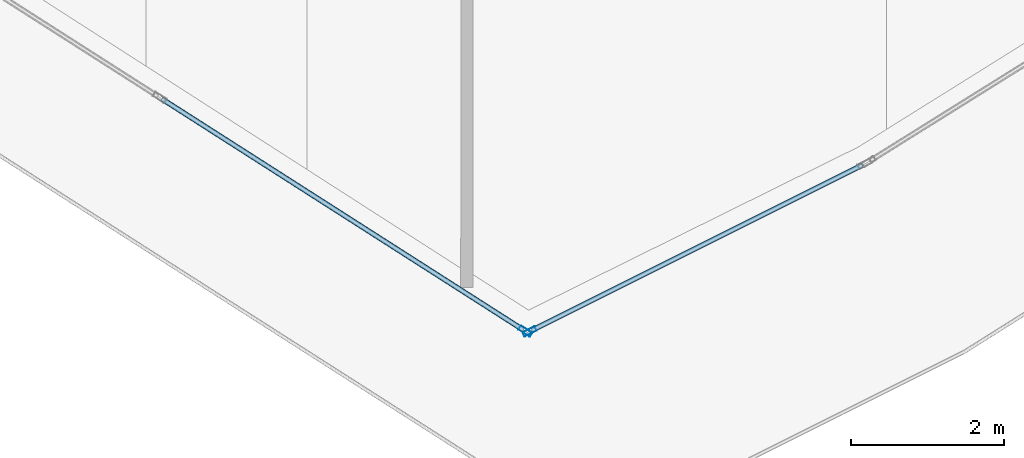
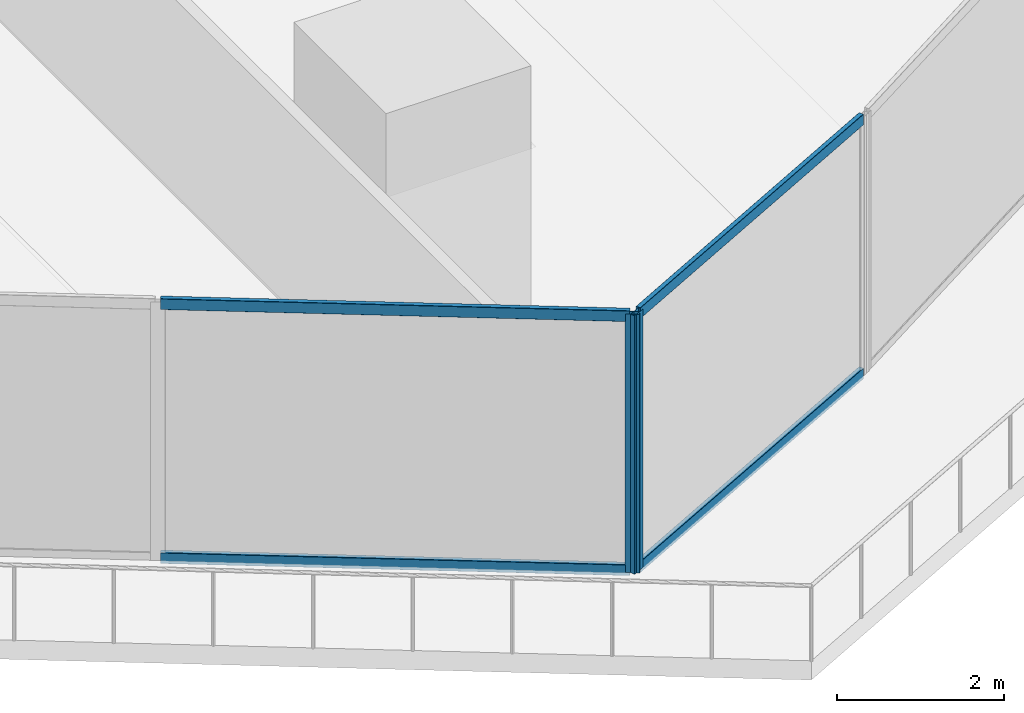
# One storey, part 7 of 44: 6 members, 2 elements without a shape of their own.
"""IFC4 building model written with IfcOpenShell, lengths in metres."""

from ifc_helpers import new_model, si_unit, direction, frame, origin, origin_2d, place, context, subcontext, project, spatial, hollow_rectangle, extrude, material, layer, layer_set, material_profile, profile_set, type_object, element, aggregate, save


model = new_model("IFC4")

# Units and contexts
model_context = context("Model", 3, precision=1e-05, world=origin(), true_north=direction((0.0, 1.0)))
body_context = subcontext(model_context, "Body", "Model", "MODEL_VIEW")
ifc_project = project(units=[si_unit("LENGTHUNIT", "METRE"), si_unit("AREAUNIT", "SQUARE_METRE"), si_unit("VOLUMEUNIT", "CUBIC_METRE"), si_unit("PLANEANGLEUNIT", "RADIAN"), si_unit("MASSUNIT", "GRAM", prefix="KILO")], contexts=[model_context])

# Site, building, storey
site_placement = place(None, origin())
site = spatial("IfcSite", under=ifc_project, at=site_placement, CompositionType="ELEMENT")
building_placement = place(site_placement, origin())
building = spatial("IfcBuilding", under=site, at=building_placement, Name="Qorvath Tower", CompositionType="ELEMENT")
storey_placement = place(building_placement, frame((0.0, 0.0, 113.85009765625)))
storey = spatial("IfcBuildingStorey", under=building, at=storey_placement, Name="L25", CompositionType="ELEMENT", Elevation=113.85009765625)

# Curtain wall, member
ifc_material_1 = material(Name="Anodised aluminium and triple low-E glass", Category="aluminium")
ifc_layer = layer(ifc_material_1, 0.179931640625)
ifc_layer_set = layer_set([ifc_layer], Name="CW-SYS-2")
curtain_wall_type = type_object("IfcCurtainWallType", Name="CW-SYS-2", PredefinedType="NOTDEFINED", material=ifc_layer_set)
curtain_wall_1_placement = place(storey_placement, origin())
curtain_wall_1 = element("IfcCurtainWall", 1, at=curtain_wall_1_placement, inside=storey, type_object=curtain_wall_type, Name="Curtain Wall CW-2 CW-T-L25-2.2", PredefinedType="NOTDEFINED")
ifc_material_2 = material(Name="Anodised aluminium 6063-T6", Category="aluminium")
ifc_material_profile_1 = material_profile(ifc_material_2, hollow_rectangle(XDim=0.06494140625, YDim=0.179931640625, WallThickness=0.00341796875, InnerFilletRadius=0.00341796875, OuterFilletRadius=0.007080078125, at=origin_2d()), Name="CWM 180x65")
ifc_profile_set_1 = profile_set([ifc_material_profile_1], Name="Anodised aluminium 6063-T6")
member_type_1 = type_object("IfcMemberType", Name="CWM-180", PredefinedType="MULLION", material=ifc_profile_set_1)
member_1_placement = place(storey_placement, frame((-15.667236328125, -31.062744140625, 0.0), z_axis=(0.0, 0.0, 1.0), x_axis=(0.538538275895, 0.842601047588, 0.0)))
member_1 = element("IfcMember", 2, at=member_1_placement, type_object=member_type_1, Name="CW-2 mullion 5", PredefinedType="MULLION", context=body_context, shape_type="SweptSolid", body=[
    extrude(hollow_rectangle(XDim=0.06494140625, YDim=0.179931640625, WallThickness=0.00341796875, InnerFilletRadius=0.00341796875, OuterFilletRadius=0.007080078125, at=origin_2d()), origin(), (0.0, 0.0, 1.0), 3.77001953125),
])

curtain_wall_2_placement = place(storey_placement, origin())
curtain_wall_2 = element("IfcCurtainWall", 3, at=curtain_wall_2_placement, inside=storey, type_object=curtain_wall_type, Name="Curtain Wall CW-2 CW-T-L25-3.1", PredefinedType="NOTDEFINED")
member_2_placement = place(storey_placement, frame((-15.61083984375, -31.065673828125, 0.0), z_axis=(0.0, 0.0, 1.0), x_axis=(-0.447181364469, 0.89444330579, 0.0)))
member_2 = element("IfcMember", 4, at=member_2_placement, type_object=member_type_1, Name="CW-2 mullion 1", PredefinedType="MULLION", context=body_context, shape_type="SweptSolid", body=[
    extrude(hollow_rectangle(XDim=0.06494140625, YDim=0.179931640625, WallThickness=0.00341796875, InnerFilletRadius=0.00341796875, OuterFilletRadius=0.007080078125, at=origin_2d()), origin(), (0.0, 0.0, 1.0), 3.77001953125),
])

# Member
ifc_material_3 = material(Name="Anodised aluminium 6063-T6", Category="aluminium")
ifc_material_profile_2 = material_profile(ifc_material_3, hollow_rectangle(XDim=0.06494140625, YDim=0.159912109375, WallThickness=0.00341796875, InnerFilletRadius=0.00341796875, OuterFilletRadius=0.007080078125, at=origin_2d()), Name="CWT 160x65")
ifc_profile_set_2 = profile_set([ifc_material_profile_2], Name="Anodised aluminium 6063-T6")
member_type_2 = type_object("IfcMemberType", Name="CWT-160", PredefinedType="USERDEFINED", material=ifc_profile_set_2)
member_3_placement = place(storey_placement, frame((-20.4228515625, -28.023193359375, 0.032470703125), z_axis=(0.842584937401, -0.538563481184, 0.0), x_axis=(0.538563481184, 0.842584937401, 0.0)))
member_3 = element("IfcMember", 5, at=member_3_placement, type_object=member_type_2, Name="CW-2 transom 4.1", ObjectType="TRANSOM", PredefinedType="USERDEFINED", context=body_context, shape_type="SweptSolid", body=[
    extrude(hollow_rectangle(XDim=0.06494140625, YDim=0.159912109375, WallThickness=0.00341796875, InnerFilletRadius=0.00341796875, OuterFilletRadius=0.007080078125, at=origin_2d()), origin(), (0.0, 0.0, 1.0), 5.611572265625),
])

member_4_placement = place(storey_placement, frame((-20.4228515625, -28.023193359375, 3.737548828125), z_axis=(0.842584937401, -0.538563481184, 0.0), x_axis=(0.538563481184, 0.842584937401, 0.0)))
member_4 = element("IfcMember", 6, at=member_4_placement, type_object=member_type_2, Name="CW-2 transom 4.2", ObjectType="TRANSOM", PredefinedType="USERDEFINED", context=body_context, shape_type="SweptSolid", body=[
    extrude(hollow_rectangle(XDim=0.06494140625, YDim=0.159912109375, WallThickness=0.00341796875, InnerFilletRadius=0.00341796875, OuterFilletRadius=0.007080078125, at=origin_2d()), origin(), (0.0, 0.0, 1.0), 5.611572265625),
])

aggregate(curtain_wall_1, [member_1, member_3, member_4])

member_5_placement = place(storey_placement, frame((-15.581787109375, -31.05126953125, 0.032470703125), z_axis=(0.894437291131, 0.447193394668, 0.0), x_axis=(-0.447193394668, 0.894437291131, 0.0)))
member_5 = element("IfcMember", 7, at=member_5_placement, type_object=member_type_2, Name="CW-2 transom 1.1", ObjectType="TRANSOM", PredefinedType="USERDEFINED", context=body_context, shape_type="SweptSolid", body=[
    extrude(hollow_rectangle(XDim=0.06494140625, YDim=0.159912109375, WallThickness=0.00341796875, InnerFilletRadius=0.00341796875, OuterFilletRadius=0.007080078125, at=origin_2d()), origin(), (0.0, 0.0, 1.0), 4.834228515625),
])

member_6_placement = place(storey_placement, frame((-15.581787109375, -31.05126953125, 3.737548828125), z_axis=(0.894437291131, 0.447193394668, 0.0), x_axis=(-0.447193394668, 0.894437291131, 0.0)))
member_6 = element("IfcMember", 8, at=member_6_placement, type_object=member_type_2, Name="CW-2 transom 1.2", ObjectType="TRANSOM", PredefinedType="USERDEFINED", context=body_context, shape_type="SweptSolid", body=[
    extrude(hollow_rectangle(XDim=0.06494140625, YDim=0.159912109375, WallThickness=0.00341796875, InnerFilletRadius=0.00341796875, OuterFilletRadius=0.007080078125, at=origin_2d()), origin(), (0.0, 0.0, 1.0), 4.834228515625),
])

aggregate(curtain_wall_2, [member_2, member_5, member_6])

save(model, "model.ifc")
